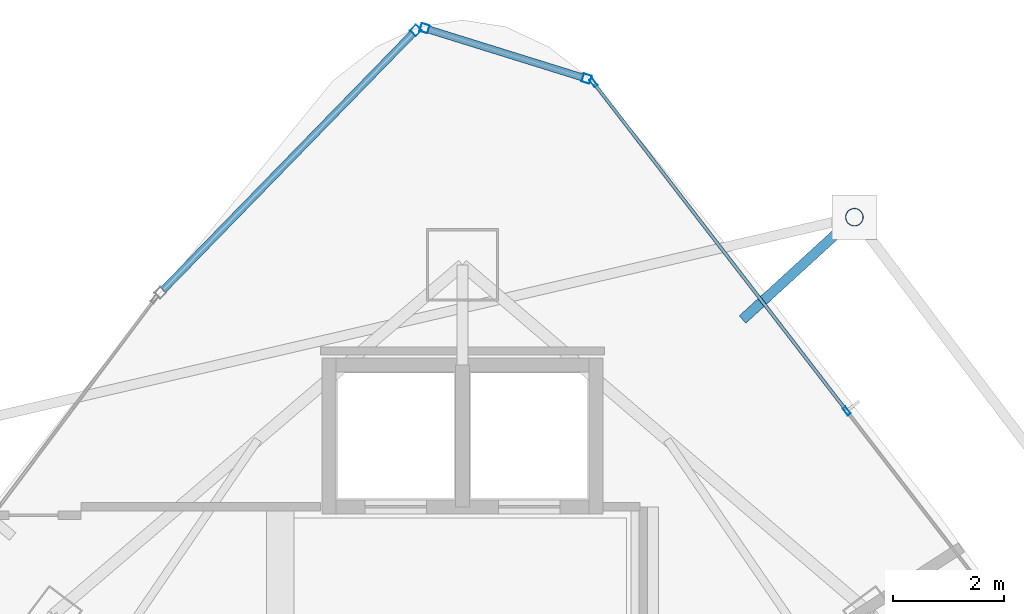
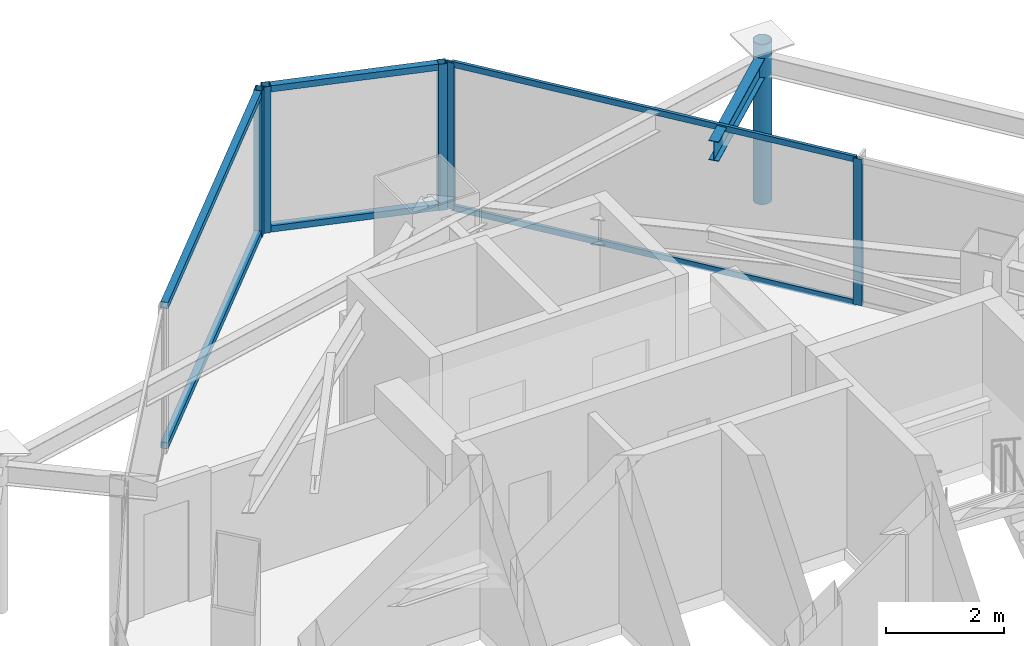
# One storey, part 23 of 30: 12 members, 1 beam, 3 elements without a shape of their own.
"""IFC4 building model written with IfcOpenShell, lengths in metres."""

import ifcopenshell
import ifcopenshell.guid

model = None  # the IFC model being written
_history = None  # IfcOwnerHistory: only IFC2X3 demands one
_inside = {}  # id of a spatial element -> (the spatial element, [elements in it])
_under = {}  # id of a project, library or spatial element -> (it, [spatial elements below it])
_declared = {}  # id of a project -> (the project, [libraries it declares])
_typed = {}  # id of a type object -> (the type object, [elements of that type])
_made_of = {}  # id of a material, layer set ... -> (it, [elements and type objects made of it])


def new_model(schema):
    """Start an empty IFC model of exactly this schema.

    Asked for "IFC4X3", IfcOpenShell would pick the latest addendum, in which some entities
    have other attributes; the version numbers below select the first issue.
    IFC2X3 requires an IfcOwnerHistory on every rooted entity: one is made here for all.
    """
    global model, _history
    if schema == "IFC4X3":
        model = ifcopenshell.file(schema_version=(4, 3, 0, 0))
    else:
        model = ifcopenshell.file(schema=schema)
    _inside.clear()
    _under.clear()
    _declared.clear()
    _typed.clear()
    _made_of.clear()
    _history = None
    if model.schema == "IFC2X3":
        org = make("IfcOrganization", Name="unknown")
        user = make(
            "IfcPersonAndOrganization",
            ThePerson=make("IfcPerson", FamilyName="unknown"),
            TheOrganization=org,
        )
        app = make(
            "IfcApplication",
            ApplicationDeveloper=org,
            Version="unknown",
            ApplicationFullName="unknown",
            ApplicationIdentifier="unknown",
        )
        _history = make(
            "IfcOwnerHistory",
            OwningUser=user,
            OwningApplication=app,
            ChangeAction="ADDED",
            CreationDate=0,
        )
    return model


def make(cls, **values):
    """One entity of the class cls with the attributes given. An attribute that is None is left unset."""
    return model.create_entity(
        cls, **{name: value for name, value in values.items() if value is not None}
    )


def rooted(cls, **values):
    """An entity with a GlobalId (a new one), such as an element, a storey or a relation."""
    return make(cls, GlobalId=ifcopenshell.guid.new(), OwnerHistory=_history, **values)


def si_unit(unit_type, name, prefix=None):
    """IfcSIUnit, for example si_unit("LENGTHUNIT", "METRE", prefix="MILLI")."""
    return make("IfcSIUnit", UnitType=unit_type, Prefix=prefix, Name=name)


def assignment(units):
    """IfcUnitAssignment: the units of a project."""
    return None if units is None else make("IfcUnitAssignment", Units=units)


def point(xyz):
    """IfcCartesianPoint."""
    return None if xyz is None else make("IfcCartesianPoint", Coordinates=xyz)


def direction(xyz):
    """IfcDirection."""
    return None if xyz is None else make("IfcDirection", DirectionRatios=xyz)


def frame(location, z_axis=None, x_axis=None):
    """IfcAxis2Placement3D, a coordinate frame: its origin and axes. An axis left out is left unset."""
    return make(
        "IfcAxis2Placement3D",
        Location=point(location),
        Axis=direction(z_axis),
        RefDirection=direction(x_axis),
    )


def frame_2d(location, x_axis=None):
    """IfcAxis2Placement2D, a coordinate frame in the plane: its origin and x axis."""
    return make(
        "IfcAxis2Placement2D", Location=point(location), RefDirection=direction(x_axis)
    )


def origin():
    """The frame at (0, 0, 0) with its axes left unset."""
    return frame((0.0, 0.0, 0.0))


def origin_2d():
    """The frame at (0, 0) in the plane with its x axis left unset."""
    return frame_2d((0.0, 0.0))


def place(relative_to, where):
    """IfcLocalPlacement: puts the frame where relative to a parent placement (None: the world)."""
    return make(
        "IfcLocalPlacement", PlacementRelTo=relative_to, RelativePlacement=where
    )


def context(
    kind, dimensions, precision=None, world=None, true_north=None, identifier=None
):
    """IfcGeometricRepresentationContext, for example the 3D "Model" context."""
    return make(
        "IfcGeometricRepresentationContext",
        ContextIdentifier=identifier,
        ContextType=kind,
        CoordinateSpaceDimension=dimensions,
        Precision=precision,
        WorldCoordinateSystem=world,
        TrueNorth=true_north,
    )


def subcontext(parent, identifier, kind, view, scale=None):
    """IfcGeometricRepresentationSubContext, for example "Body" below "Model"."""
    return make(
        "IfcGeometricRepresentationSubContext",
        ContextIdentifier=identifier,
        ContextType=kind,
        ParentContext=parent,
        TargetScale=scale,
        TargetView=view,
    )


def project(units=None, contexts=None):
    """IfcProject with its units and contexts."""
    return rooted(
        "IfcProject",
        Name="project",
        RepresentationContexts=contexts,
        UnitsInContext=assignment(units),
    )


def spatial(cls, under=None, at=None, **own):
    """A site, building, storey or space (cls), placed at a placement, below another one or the project."""
    s = rooted(cls, ObjectPlacement=at, **own)
    if under is not None:
        _under.setdefault(under.id(), (under, []))[1].append(s)
    return s


def profile(cls, at=None, kind="AREA", **sizes):
    """A parametric profile (cls). Its sizes go by their IFC names, for example OverallWidth=200.0."""
    return make(cls, ProfileType=kind, Position=at, **sizes)


def hollow_rectangle(**sizes):
    """IfcRectangleHollowProfileDef."""
    return profile("IfcRectangleHollowProfileDef", **sizes)


def hollow_circle(**sizes):
    """IfcCircleHollowProfileDef."""
    return profile("IfcCircleHollowProfileDef", **sizes)


def i_section(**sizes):
    """IfcIShapeProfileDef."""
    return profile("IfcIShapeProfileDef", **sizes)


def extrude(swept, where, along, depth):
    """IfcExtrudedAreaSolid: the profile swept, set in the frame where, extruded along a direction by depth."""
    return make(
        "IfcExtrudedAreaSolid",
        SweptArea=swept,
        Position=where,
        ExtrudedDirection=direction(along),
        Depth=depth,
    )


def shape(context_of_items, identifier, shape_type, items):
    """IfcShapeRepresentation: the items that make up one representation, for example the "Body"."""
    return make(
        "IfcShapeRepresentation",
        ContextOfItems=context_of_items,
        RepresentationIdentifier=identifier,
        RepresentationType=shape_type,
        Items=items,
    )


def material(Name=None, Category=None):
    """IfcMaterial."""
    return make("IfcMaterial", Name=Name, Category=Category)


def layer(
    of_material, thickness, ventilated=None, Name=None, Category=None, Priority=None
):
    """IfcMaterialLayer: one layer of a wall or slab, of a material (None: an air gap)."""
    return make(
        "IfcMaterialLayer",
        Material=of_material,
        LayerThickness=thickness,
        IsVentilated=ventilated,
        Name=Name,
        Category=Category,
        Priority=Priority,
    )


def layer_set(layers, Name=None):
    """IfcMaterialLayerSet."""
    return make("IfcMaterialLayerSet", MaterialLayers=layers, LayerSetName=Name)


def material_profile(
    of_material, cross_section, Name=None, Category=None, Priority=None
):
    """IfcMaterialProfile: a cross section and its material."""
    return make(
        "IfcMaterialProfile",
        Name=Name,
        Material=of_material,
        Profile=cross_section,
        Priority=Priority,
        Category=Category,
    )


def profile_set(profiles, Name=None, composite=None):
    """IfcMaterialProfileSet."""
    return make(
        "IfcMaterialProfileSet",
        Name=Name,
        MaterialProfiles=profiles,
        CompositeProfile=composite,
    )


def made_of(thing, what):
    """Note that an element or type object is made of a material, layer set ...; save() writes the relation."""
    if what is not None:
        _made_of.setdefault(what.id(), (what, []))[1].append(thing)
    return thing


def type_object(cls, material=None, **own):
    """A type object (cls), such as IfcWallType, which elements share."""
    return made_of(rooted(cls, **own), material)


def element(
    cls,
    number,
    at=None,
    inside=None,
    cuts=None,
    type_object=None,
    material=None,
    context=None,
    identifier="Body",
    shape_type=None,
    held_by="IfcProductDefinitionShape",
    body=None,
    shapes=None,
    **own,
):
    """One element of the class cls, such as IfcWall. Its Tag is "e" and its number.

    at: its placement. inside: the storey or other place that contains it. cuts: it is an
    opening in that element (IfcRelVoidsElement). A single representation is given by context,
    identifier, shape_type and body (its items); several are given by shapes. held_by: the class
    of the entity that holds the representations. save() writes the other relations.
    """
    e = rooted(cls, Tag="e%d" % number, ObjectPlacement=at, **own)
    if body is not None:
        shapes = [shape(context, identifier, shape_type, body)]
    if shapes is not None:
        e.Representation = make(held_by, Representations=shapes)
    if inside is not None:
        _inside.setdefault(inside.id(), (inside, []))[1].append(e)
    if cuts is not None:
        rooted(
            "IfcRelVoidsElement", RelatingBuildingElement=cuts, RelatedOpeningElement=e
        )
    if type_object is not None:
        _typed.setdefault(type_object.id(), (type_object, []))[1].append(e)
    return made_of(e, material)


def aggregate(whole, parts):
    """IfcRelAggregates: a whole, such as a stair, and the parts it consists of."""
    return rooted("IfcRelAggregates", RelatingObject=whole, RelatedObjects=parts)


def save(model, path):
    """Write the relations noted so far, then the file.

    IfcRelAggregates (storeys below a building ...), IfcRelContainedInSpatialStructure (elements
    in a storey), IfcRelDefinesByType, IfcRelAssociatesMaterial and IfcRelDeclares: one each for
    every whole, place, type object, material and project.
    """
    for whole, parts in _under.values():
        aggregate(whole, parts)
    for where, things in _inside.values():
        rooted(
            "IfcRelContainedInSpatialStructure",
            RelatedElements=things,
            RelatingStructure=where,
        )
    for kind, things in _typed.values():
        rooted("IfcRelDefinesByType", RelatedObjects=things, RelatingType=kind)
    for what, things in _made_of.values():
        rooted("IfcRelAssociatesMaterial", RelatedObjects=things, RelatingMaterial=what)
    for by, libraries in _declared.values():
        rooted("IfcRelDeclares", RelatingContext=by, RelatedDefinitions=libraries)
    model.write(path)


model = new_model("IFC4")

# Units and contexts
model_context = context("Model", 3, precision=1e-05, world=origin(), true_north=direction((0.0, 1.0)))
body_context = subcontext(model_context, "Body", "Model", "MODEL_VIEW")
ifc_project = project(units=[si_unit("LENGTHUNIT", "METRE"), si_unit("AREAUNIT", "SQUARE_METRE"), si_unit("VOLUMEUNIT", "CUBIC_METRE"), si_unit("PLANEANGLEUNIT", "RADIAN"), si_unit("MASSUNIT", "GRAM", prefix="KILO")], contexts=[model_context])

# Site, building, storey
site_placement = place(None, origin())
site = spatial("IfcSite", under=ifc_project, at=site_placement, CompositionType="ELEMENT")
building_placement = place(site_placement, origin())
building = spatial("IfcBuilding", under=site, at=building_placement, Name="Orvanel Arch Residences", CompositionType="ELEMENT")
storey_placement = place(building_placement, frame((0.0, 0.0, 232.699951171875)))
storey = spatial("IfcBuildingStorey", under=building, at=storey_placement, Name="L66", CompositionType="ELEMENT", Elevation=232.699951171875)

# Curtain wall, members
ifc_material_1 = material(Name="Bronze-anodised aluminium AA6063-T6", Category="aluminium")
ifc_layer_1 = layer(ifc_material_1, 0.18994140625)
ifc_layer_set_1 = layer_set([ifc_layer_1], Name="Bronze-anodised aluminium AA6063-T6")
curtain_wall_type_1 = type_object("IfcCurtainWallType", Name="CW5-CRN-SYS", PredefinedType="NOTDEFINED", material=ifc_layer_set_1)
curtain_wall_1_placement = place(storey_placement, origin())
curtain_wall_1 = element("IfcCurtainWall", 1, at=curtain_wall_1_placement, inside=storey, type_object=curtain_wall_type_1, Name="L66 CW5-CRN-SYS Unitised Curtain Wall", PredefinedType="NOTDEFINED")
ifc_material_profile_1 = material_profile(ifc_material_1, hollow_rectangle(XDim=0.14990234375, YDim=0.14990234375, WallThickness=0.0048828125, at=origin_2d()), Name="ALU150x150x5")
ifc_profile_set_1 = profile_set([ifc_material_profile_1], Name="Bronze-anodised aluminium AA6063-T6")
member_type_1 = type_object("IfcMemberType", Name="MUL-150x150", PredefinedType="MULLION", material=ifc_profile_set_1)
member_1_placement = place(storey_placement, frame((35.23046875, 44.7421875, 0.0), z_axis=(0.0, 0.0, 1.0), x_axis=(-0.297136187501, -0.954835109366, 0.0)))
member_1 = element("IfcMember", 2, at=member_1_placement, type_object=member_type_1, Name="CW-S5 mullion 1", PredefinedType="MULLION", context=body_context, shape_type="SweptSolid", body=[
    extrude(hollow_rectangle(XDim=0.14990234375, YDim=0.14990234375, WallThickness=0.0048828125, at=origin_2d()), origin(), (0.0, 0.0, 1.0), 3.02001953125),
])
member_2_placement = place(storey_placement, frame((32.317626953125, 45.648681640625, 0.0), z_axis=(0.0, 0.0, 1.0), x_axis=(-0.297136187501, -0.954835109366, 0.0)))
member_2 = element("IfcMember", 3, at=member_2_placement, type_object=member_type_1, Name="CW-S5 mullion 2", PredefinedType="MULLION", context=body_context, shape_type="SweptSolid", body=[
    extrude(hollow_rectangle(XDim=0.14990234375, YDim=0.14990234375, WallThickness=0.0048828125, at=origin_2d()), origin(), (0.0, 0.0, 1.0), 3.02001953125),
])

# Curtain wall, member
curtain_wall_2_placement = place(storey_placement, origin())
curtain_wall_2 = element("IfcCurtainWall", 4, at=curtain_wall_2_placement, inside=storey, type_object=curtain_wall_type_1, Name="L66 CW5-CRN-SYS Unitised Curtain Wall", PredefinedType="NOTDEFINED")
member_3_placement = place(storey_placement, frame((32.16064453125, 45.609375, 0.0), z_axis=(0.0, 0.0, 1.0), x_axis=(0.716477049978, -0.697610662802, 0.0)))
member_3 = element("IfcMember", 5, at=member_3_placement, type_object=member_type_1, Name="CW-S5 mullion 1", PredefinedType="MULLION", context=body_context, shape_type="SweptSolid", body=[
    extrude(hollow_rectangle(XDim=0.14990234375, YDim=0.14990234375, WallThickness=0.0048828125, at=origin_2d()), origin(), (0.0, 0.0, 1.0), 3.02001953125),
])

# Curtain wall, members
ifc_layer_2 = layer(ifc_material_1, 0.175048828125)
ifc_layer_set_2 = layer_set([ifc_layer_2], Name="Bronze-anodised aluminium AA6063-T6")
curtain_wall_type_2 = type_object("IfcCurtainWallType", Name="CW4-HI-SYS", PredefinedType="NOTDEFINED", material=ifc_layer_set_2)
curtain_wall_3_placement = place(storey_placement, origin())
curtain_wall_3 = element("IfcCurtainWall", 6, at=curtain_wall_3_placement, inside=storey, type_object=curtain_wall_type_2, Name="L66 CW4-HI-SYS Unitised Curtain Wall", PredefinedType="NOTDEFINED")
ifc_material_profile_2 = material_profile(ifc_material_1, hollow_rectangle(XDim=0.06494140625, YDim=0.159912109375, WallThickness=0.00390625, at=origin_2d()), Name="ALU160x65x4")
ifc_profile_set_2 = profile_set([ifc_material_profile_2], Name="Bronze-anodised aluminium AA6063-T6")
member_type_2 = type_object("IfcMemberType", Name="MUL-160x65", PredefinedType="MULLION", material=ifc_profile_set_2)
member_4_placement = place(storey_placement, frame((39.903564453125, 38.77197265625, 0.0), z_axis=(0.0, 0.0, 1.0), x_axis=(-0.791845950951, -0.610720877294, 0.0)))
member_4 = element("IfcMember", 7, at=member_4_placement, type_object=member_type_2, Name="CW-S4 mullion 2", PredefinedType="MULLION", context=body_context, shape_type="SweptSolid", body=[
    extrude(hollow_rectangle(XDim=0.06494140625, YDim=0.159912109375, WallThickness=0.00390625, at=origin_2d()), origin(), (0.0, 0.0, 1.0), 3.02001953125),
])
member_5_placement = place(storey_placement, frame((35.352783203125, 44.67236328125, 0.0), z_axis=(0.0, 0.0, 1.0), x_axis=(-0.791845950951, -0.610720877294, 0.0)))
member_5 = element("IfcMember", 8, at=member_5_placement, type_object=member_type_2, Name="CW-S4 mullion 3", PredefinedType="MULLION", context=body_context, shape_type="SweptSolid", body=[
    extrude(hollow_rectangle(XDim=0.06494140625, YDim=0.159912109375, WallThickness=0.00390625, at=origin_2d()), origin(), (0.0, 0.0, 1.0), 3.02001953125),
])

# Beam
ifc_material_2 = material(Name="Structural steel AS/NZS 3679.1 Grade 300 (300 MPa)", Category="steel")
ifc_material_profile_3 = material_profile(ifc_material_2, i_section(OverallWidth=0.177978515625, OverallDepth=0.406005859375, WebThickness=0.0078125, FlangeThickness=0.0126953125, at=origin_2d()), Name="410UB59.7")
ifc_profile_set_3 = profile_set([ifc_material_profile_3], Name="Structural steel AS/NZS 3679.1 Grade 300 (300 MPa)")
beam_type = type_object("IfcBeamType", Name="OB-410UB-EXT", PredefinedType="SPANDREL", material=ifc_profile_set_3)
beam_placement = place(storey_placement, frame((38.031982421875, 40.4150390625, 2.817138671875), z_axis=(0.737819656123, 0.674997892618, 0.0), x_axis=(-0.674997892618, 0.737819656123, 0.0)))
element("IfcBeam", 9, at=beam_placement, inside=storey, type_object=beam_type, Name="L66 Outer Frame Radial Tie Beam 12", PredefinedType="SPANDREL", context=body_context, shape_type="SweptSolid", body=[
    extrude(i_section(OverallWidth=0.177978515625, OverallDepth=0.406005859375, WebThickness=0.0078125, FlangeThickness=0.0126953125, at=origin_2d()), origin(), (0.0, 0.0, 1.0), 2.724365234375),
])

# Member
ifc_material_3 = material(Name="Structural steel AS/NZS 1163 C350L0 (Grade 350)", Category="steel")
ifc_material_profile_4 = material_profile(ifc_material_3, hollow_circle(Radius=0.162109375, WallThickness=0.0126953125, at=origin_2d()), Name="CHS324x12.7")
ifc_profile_set_4 = profile_set([ifc_material_profile_4], Name="Structural steel AS/NZS 1163 C350L0 (Grade 350)")
member_type_3 = type_object("IfcMemberType", Name="ST-324CHS-EXT", PredefinedType="STRUT", material=ifc_profile_set_4)
member_6_placement = place(storey_placement, frame((40.0419921875, 42.25390625, 0.0), z_axis=(0.0, 0.0, 1.0), x_axis=(1.0, 0.0, 0.0)))
element("IfcMember", 10, at=member_6_placement, inside=storey, type_object=member_type_3, Name="L66 Outer Perimeter Frame Post 12", PredefinedType="STRUT", context=body_context, shape_type="SweptSolid", body=[
    extrude(hollow_circle(Radius=0.162109375, WallThickness=0.0126953125, at=origin_2d()), origin(), (0.0, 0.0, 1.0), 3.300048828125),
])

ifc_material_profile_5 = material_profile(ifc_material_1, hollow_rectangle(XDim=0.06005859375, YDim=0.1201171875, WallThickness=0.00341796875, at=origin_2d()), Name="ALU120x60x3.5")
ifc_profile_set_5 = profile_set([ifc_material_profile_5], Name="Bronze-anodised aluminium AA6063-T6")
member_type_4 = type_object("IfcMemberType", Name="TRN-120x60", PredefinedType="USERDEFINED", material=ifc_profile_set_5)
member_7_placement = place(storey_placement, frame((39.883544921875, 38.7978515625, 0.030029296875), z_axis=(-0.610713455714, 0.79185167488, 0.0), x_axis=(-0.79185167488, -0.610713455714, 0.0)))
member_7 = element("IfcMember", 11, at=member_7_placement, type_object=member_type_4, Name="CW-S4 transom 2.1", ObjectType="TRANSOM", PredefinedType="USERDEFINED", context=body_context, shape_type="SweptSolid", body=[
    extrude(hollow_rectangle(XDim=0.06005859375, YDim=0.1201171875, WallThickness=0.00341796875, at=origin_2d()), origin(), (0.0, 0.0, 1.0), 7.385986328125),
])

member_8_placement = place(storey_placement, frame((39.883544921875, 38.7978515625, 2.989990234375), z_axis=(-0.610713455714, 0.79185167488, 0.0), x_axis=(-0.79185167488, -0.610713455714, 0.0)))
member_8 = element("IfcMember", 12, at=member_8_placement, type_object=member_type_4, Name="CW-S4 transom 2.2", ObjectType="TRANSOM", PredefinedType="USERDEFINED", context=body_context, shape_type="SweptSolid", body=[
    extrude(hollow_rectangle(XDim=0.06005859375, YDim=0.1201171875, WallThickness=0.00341796875, at=origin_2d()), origin(), (0.0, 0.0, 1.0), 7.385986328125),
])

aggregate(curtain_wall_3, [member_4, member_5, member_7, member_8])

ifc_material_profile_6 = material_profile(ifc_material_1, hollow_rectangle(XDim=0.1298828125, YDim=0.1298828125, WallThickness=0.00439453125, at=origin_2d()), Name="ALU130x130x4.5")
ifc_profile_set_6 = profile_set([ifc_material_profile_6], Name="Bronze-anodised aluminium AA6063-T6")
member_type_5 = type_object("IfcMemberType", Name="TRN-130x130", PredefinedType="USERDEFINED", material=ifc_profile_set_6)
member_9_placement = place(storey_placement, frame((35.15869140625, 44.7646484375, 0.06494140625), z_axis=(-0.954838735165, 0.29712453589, 0.0), x_axis=(-0.29712453589, -0.954838735165, 0.0)))
member_9 = element("IfcMember", 13, at=member_9_placement, type_object=member_type_5, Name="CW-S5 transom 1.1", ObjectType="TRANSOM", PredefinedType="USERDEFINED", context=body_context, shape_type="SweptSolid", body=[
    extrude(hollow_rectangle(XDim=0.1298828125, YDim=0.1298828125, WallThickness=0.00439453125, at=origin_2d()), origin(), (0.0, 0.0, 1.0), 2.900634765625),
])

member_10_placement = place(storey_placement, frame((35.15869140625, 44.7646484375, 2.955078125), z_axis=(-0.954838735165, 0.29712453589, 0.0), x_axis=(-0.29712453589, -0.954838735165, 0.0)))
member_10 = element("IfcMember", 14, at=member_10_placement, type_object=member_type_5, Name="CW-S5 transom 1.2", ObjectType="TRANSOM", PredefinedType="USERDEFINED", context=body_context, shape_type="SweptSolid", body=[
    extrude(hollow_rectangle(XDim=0.1298828125, YDim=0.1298828125, WallThickness=0.00439453125, at=origin_2d()), origin(), (0.0, 0.0, 1.0), 2.900634765625),
])

aggregate(curtain_wall_1, [member_1, member_2, member_9, member_10])

member_11_placement = place(storey_placement, frame((32.1083984375, 45.555419921875, 0.06494140625), z_axis=(-0.697630015612, -0.71645820626, 0.0), x_axis=(0.71645820626, -0.697630015612, 0.0)))
member_11 = element("IfcMember", 15, at=member_11_placement, type_object=member_type_5, Name="CW-S5 transom 1.1", ObjectType="TRANSOM", PredefinedType="USERDEFINED", context=body_context, shape_type="SweptSolid", body=[
    extrude(hollow_rectangle(XDim=0.1298828125, YDim=0.1298828125, WallThickness=0.00439453125, at=origin_2d()), origin(), (0.0, 0.0, 1.0), 6.431396484375),
])

member_12_placement = place(storey_placement, frame((32.1083984375, 45.555419921875, 2.955078125), z_axis=(-0.697630015612, -0.71645820626, 0.0), x_axis=(0.71645820626, -0.697630015612, 0.0)))
member_12 = element("IfcMember", 16, at=member_12_placement, type_object=member_type_5, Name="CW-S5 transom 1.2", ObjectType="TRANSOM", PredefinedType="USERDEFINED", context=body_context, shape_type="SweptSolid", body=[
    extrude(hollow_rectangle(XDim=0.1298828125, YDim=0.1298828125, WallThickness=0.00439453125, at=origin_2d()), origin(), (0.0, 0.0, 1.0), 6.431396484375),
])

aggregate(curtain_wall_2, [member_3, member_11, member_12])

save(model, "model.ifc")
